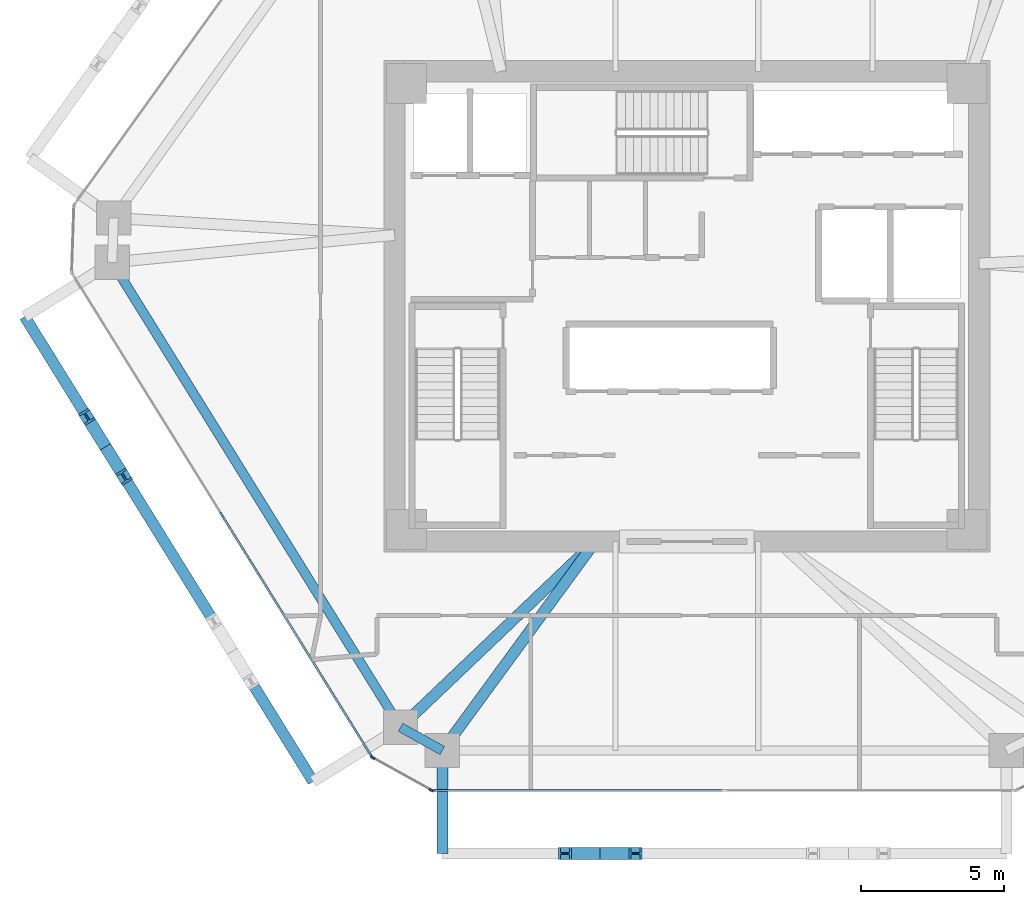
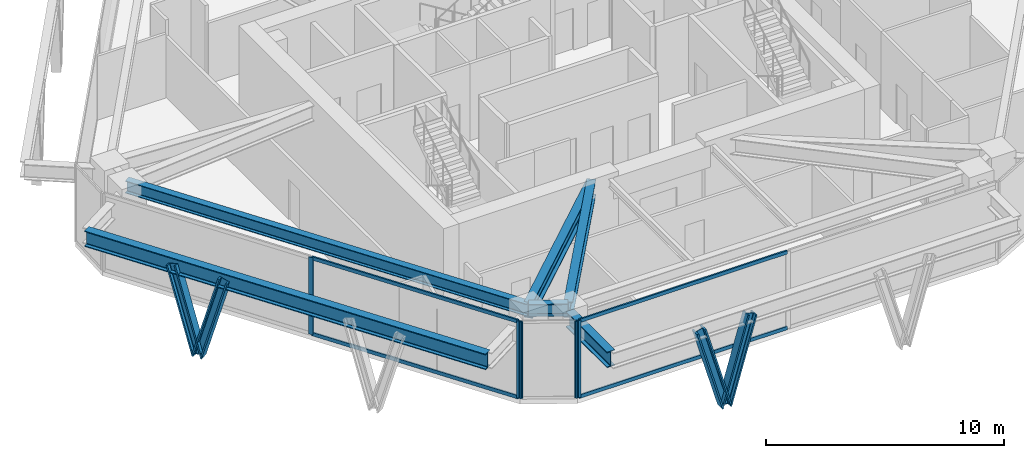
# One storey, part 2 of 14: 13 members, 6 beams, 3 elements without a shape of their own.
"""IFC4 building model written with IfcOpenShell, lengths in metres."""

import ifcopenshell
import ifcopenshell.guid

model = None  # the IFC model being written
_history = None  # IfcOwnerHistory: only IFC2X3 demands one
_inside = {}  # id of a spatial element -> (the spatial element, [elements in it])
_under = {}  # id of a project, library or spatial element -> (it, [spatial elements below it])
_declared = {}  # id of a project -> (the project, [libraries it declares])
_typed = {}  # id of a type object -> (the type object, [elements of that type])
_made_of = {}  # id of a material, layer set ... -> (it, [elements and type objects made of it])


def new_model(schema):
    """Start an empty IFC model of exactly this schema.

    Asked for "IFC4X3", IfcOpenShell would pick the latest addendum, in which some entities
    have other attributes; the version numbers below select the first issue.
    IFC2X3 requires an IfcOwnerHistory on every rooted entity: one is made here for all.
    """
    global model, _history
    if schema == "IFC4X3":
        model = ifcopenshell.file(schema_version=(4, 3, 0, 0))
    else:
        model = ifcopenshell.file(schema=schema)
    _inside.clear()
    _under.clear()
    _declared.clear()
    _typed.clear()
    _made_of.clear()
    _history = None
    if model.schema == "IFC2X3":
        org = make("IfcOrganization", Name="unknown")
        user = make(
            "IfcPersonAndOrganization",
            ThePerson=make("IfcPerson", FamilyName="unknown"),
            TheOrganization=org,
        )
        app = make(
            "IfcApplication",
            ApplicationDeveloper=org,
            Version="unknown",
            ApplicationFullName="unknown",
            ApplicationIdentifier="unknown",
        )
        _history = make(
            "IfcOwnerHistory",
            OwningUser=user,
            OwningApplication=app,
            ChangeAction="ADDED",
            CreationDate=0,
        )
    return model


def make(cls, **values):
    """One entity of the class cls with the attributes given. An attribute that is None is left unset."""
    return model.create_entity(
        cls, **{name: value for name, value in values.items() if value is not None}
    )


def rooted(cls, **values):
    """An entity with a GlobalId (a new one), such as an element, a storey or a relation."""
    return make(cls, GlobalId=ifcopenshell.guid.new(), OwnerHistory=_history, **values)


def si_unit(unit_type, name, prefix=None):
    """IfcSIUnit, for example si_unit("LENGTHUNIT", "METRE", prefix="MILLI")."""
    return make("IfcSIUnit", UnitType=unit_type, Prefix=prefix, Name=name)


def assignment(units):
    """IfcUnitAssignment: the units of a project."""
    return None if units is None else make("IfcUnitAssignment", Units=units)


def point(xyz):
    """IfcCartesianPoint."""
    return None if xyz is None else make("IfcCartesianPoint", Coordinates=xyz)


def direction(xyz):
    """IfcDirection."""
    return None if xyz is None else make("IfcDirection", DirectionRatios=xyz)


def frame(location, z_axis=None, x_axis=None):
    """IfcAxis2Placement3D, a coordinate frame: its origin and axes. An axis left out is left unset."""
    return make(
        "IfcAxis2Placement3D",
        Location=point(location),
        Axis=direction(z_axis),
        RefDirection=direction(x_axis),
    )


def frame_2d(location, x_axis=None):
    """IfcAxis2Placement2D, a coordinate frame in the plane: its origin and x axis."""
    return make(
        "IfcAxis2Placement2D", Location=point(location), RefDirection=direction(x_axis)
    )


def origin():
    """The frame at (0, 0, 0) with its axes left unset."""
    return frame((0.0, 0.0, 0.0))


def origin_2d():
    """The frame at (0, 0) in the plane with its x axis left unset."""
    return frame_2d((0.0, 0.0))


def place(relative_to, where):
    """IfcLocalPlacement: puts the frame where relative to a parent placement (None: the world)."""
    return make(
        "IfcLocalPlacement", PlacementRelTo=relative_to, RelativePlacement=where
    )


def context(
    kind, dimensions, precision=None, world=None, true_north=None, identifier=None
):
    """IfcGeometricRepresentationContext, for example the 3D "Model" context."""
    return make(
        "IfcGeometricRepresentationContext",
        ContextIdentifier=identifier,
        ContextType=kind,
        CoordinateSpaceDimension=dimensions,
        Precision=precision,
        WorldCoordinateSystem=world,
        TrueNorth=true_north,
    )


def subcontext(parent, identifier, kind, view, scale=None):
    """IfcGeometricRepresentationSubContext, for example "Body" below "Model"."""
    return make(
        "IfcGeometricRepresentationSubContext",
        ContextIdentifier=identifier,
        ContextType=kind,
        ParentContext=parent,
        TargetScale=scale,
        TargetView=view,
    )


def project(units=None, contexts=None):
    """IfcProject with its units and contexts."""
    return rooted(
        "IfcProject",
        Name="project",
        RepresentationContexts=contexts,
        UnitsInContext=assignment(units),
    )


def spatial(cls, under=None, at=None, **own):
    """A site, building, storey or space (cls), placed at a placement, below another one or the project."""
    s = rooted(cls, ObjectPlacement=at, **own)
    if under is not None:
        _under.setdefault(under.id(), (under, []))[1].append(s)
    return s


def profile(cls, at=None, kind="AREA", **sizes):
    """A parametric profile (cls). Its sizes go by their IFC names, for example OverallWidth=200.0."""
    return make(cls, ProfileType=kind, Position=at, **sizes)


def rectangle(**sizes):
    """IfcRectangleProfileDef."""
    return profile("IfcRectangleProfileDef", **sizes)


def i_section(**sizes):
    """IfcIShapeProfileDef."""
    return profile("IfcIShapeProfileDef", **sizes)


def extrude(swept, where, along, depth):
    """IfcExtrudedAreaSolid: the profile swept, set in the frame where, extruded along a direction by depth."""
    return make(
        "IfcExtrudedAreaSolid",
        SweptArea=swept,
        Position=where,
        ExtrudedDirection=direction(along),
        Depth=depth,
    )


def shape(context_of_items, identifier, shape_type, items):
    """IfcShapeRepresentation: the items that make up one representation, for example the "Body"."""
    return make(
        "IfcShapeRepresentation",
        ContextOfItems=context_of_items,
        RepresentationIdentifier=identifier,
        RepresentationType=shape_type,
        Items=items,
    )


def source(mapping_origin, context_of_items, identifier, shape_type, items):
    """IfcRepresentationMap: a shape defined once, which mapped items show again and again."""
    return make(
        "IfcRepresentationMap",
        MappingOrigin=mapping_origin,
        MappedRepresentation=shape(context_of_items, identifier, shape_type, items),
    )


def transform(
    local_origin,
    x_axis=None,
    y_axis=None,
    z_axis=None,
    scale=None,
    scale2=None,
    scale3=None,
    uniform=True,
):
    """IfcCartesianTransformationOperator3D, or its non-uniform kind. x_axis, y_axis, z_axis: its Axis1, 2, 3."""
    if uniform:
        return make(
            "IfcCartesianTransformationOperator3D",
            Axis1=direction(x_axis),
            Axis2=direction(y_axis),
            LocalOrigin=point(local_origin),
            Scale=scale,
            Axis3=direction(z_axis),
        )
    return make(
        "IfcCartesianTransformationOperator3DnonUniform",
        Axis1=direction(x_axis),
        Axis2=direction(y_axis),
        LocalOrigin=point(local_origin),
        Scale=scale,
        Axis3=direction(z_axis),
        Scale2=scale2,
        Scale3=scale3,
    )


def mapped(mapping_source, mapping_target):
    """IfcMappedItem: shows the shape of a source again, moved by a transform."""
    return make(
        "IfcMappedItem", MappingSource=mapping_source, MappingTarget=mapping_target
    )


def material(Name=None, Category=None):
    """IfcMaterial."""
    return make("IfcMaterial", Name=Name, Category=Category)


def layer(
    of_material, thickness, ventilated=None, Name=None, Category=None, Priority=None
):
    """IfcMaterialLayer: one layer of a wall or slab, of a material (None: an air gap)."""
    return make(
        "IfcMaterialLayer",
        Material=of_material,
        LayerThickness=thickness,
        IsVentilated=ventilated,
        Name=Name,
        Category=Category,
        Priority=Priority,
    )


def layer_set(layers, Name=None):
    """IfcMaterialLayerSet."""
    return make("IfcMaterialLayerSet", MaterialLayers=layers, LayerSetName=Name)


def material_profile(
    of_material, cross_section, Name=None, Category=None, Priority=None
):
    """IfcMaterialProfile: a cross section and its material."""
    return make(
        "IfcMaterialProfile",
        Name=Name,
        Material=of_material,
        Profile=cross_section,
        Priority=Priority,
        Category=Category,
    )


def profile_set(profiles, Name=None, composite=None):
    """IfcMaterialProfileSet."""
    return make(
        "IfcMaterialProfileSet",
        Name=Name,
        MaterialProfiles=profiles,
        CompositeProfile=composite,
    )


def made_of(thing, what):
    """Note that an element or type object is made of a material, layer set ...; save() writes the relation."""
    if what is not None:
        _made_of.setdefault(what.id(), (what, []))[1].append(thing)
    return thing


def type_object(cls, material=None, **own):
    """A type object (cls), such as IfcWallType, which elements share."""
    return made_of(rooted(cls, **own), material)


def type_shapes(of_type, sources):
    """Give a type object the sources (RepresentationMaps) that its elements show as mapped items."""
    of_type.RepresentationMaps = sources


def element(
    cls,
    number,
    at=None,
    inside=None,
    cuts=None,
    type_object=None,
    material=None,
    context=None,
    identifier="Body",
    shape_type=None,
    held_by="IfcProductDefinitionShape",
    body=None,
    shapes=None,
    **own,
):
    """One element of the class cls, such as IfcWall. Its Tag is "e" and its number.

    at: its placement. inside: the storey or other place that contains it. cuts: it is an
    opening in that element (IfcRelVoidsElement). A single representation is given by context,
    identifier, shape_type and body (its items); several are given by shapes. held_by: the class
    of the entity that holds the representations. save() writes the other relations.
    """
    e = rooted(cls, Tag="e%d" % number, ObjectPlacement=at, **own)
    if body is not None:
        shapes = [shape(context, identifier, shape_type, body)]
    if shapes is not None:
        e.Representation = make(held_by, Representations=shapes)
    if inside is not None:
        _inside.setdefault(inside.id(), (inside, []))[1].append(e)
    if cuts is not None:
        rooted(
            "IfcRelVoidsElement", RelatingBuildingElement=cuts, RelatedOpeningElement=e
        )
    if type_object is not None:
        _typed.setdefault(type_object.id(), (type_object, []))[1].append(e)
    return made_of(e, material)


def aggregate(whole, parts):
    """IfcRelAggregates: a whole, such as a stair, and the parts it consists of."""
    return rooted("IfcRelAggregates", RelatingObject=whole, RelatedObjects=parts)


def save(model, path):
    """Write the relations noted so far, then the file.

    IfcRelAggregates (storeys below a building ...), IfcRelContainedInSpatialStructure (elements
    in a storey), IfcRelDefinesByType, IfcRelAssociatesMaterial and IfcRelDeclares: one each for
    every whole, place, type object, material and project.
    """
    for whole, parts in _under.values():
        aggregate(whole, parts)
    for where, things in _inside.values():
        rooted(
            "IfcRelContainedInSpatialStructure",
            RelatedElements=things,
            RelatingStructure=where,
        )
    for kind, things in _typed.values():
        rooted("IfcRelDefinesByType", RelatedObjects=things, RelatingType=kind)
    for what, things in _made_of.values():
        rooted("IfcRelAssociatesMaterial", RelatedObjects=things, RelatingMaterial=what)
    for by, libraries in _declared.values():
        rooted("IfcRelDeclares", RelatingContext=by, RelatedDefinitions=libraries)
    model.write(path)


model = new_model("IFC4")

# Units and contexts
model_context = context("Model", 3, precision=1e-05, world=origin(), true_north=direction((0.0, 1.0)))
body_context = subcontext(model_context, "Body", "Model", "MODEL_VIEW")
ifc_project = project(units=[si_unit("LENGTHUNIT", "METRE"), si_unit("AREAUNIT", "SQUARE_METRE"), si_unit("VOLUMEUNIT", "CUBIC_METRE"), si_unit("PLANEANGLEUNIT", "RADIAN"), si_unit("MASSUNIT", "GRAM", prefix="KILO")], contexts=[model_context])

# Site, building, storey
site_placement = place(None, origin())
site = spatial("IfcSite", under=ifc_project, at=site_placement, CompositionType="ELEMENT")
building_placement = place(site_placement, origin())
building = spatial("IfcBuilding", under=site, at=building_placement, Name="Durnholm Broadcast Tower", CompositionType="ELEMENT")
storey_placement = place(building_placement, frame((0.0, 0.0, 93.300048828125)))
storey = spatial("IfcBuildingStorey", under=building, at=storey_placement, Name="L24", CompositionType="ELEMENT", Elevation=93.300048828125)

# Beams
ifc_material_1 = material(Name="Steel ASTM A992 Grade 50", Category="steel")
ifc_material_profile_1 = material_profile(ifc_material_1, i_section(OverallWidth=0.385009765625, OverallDepth=0.802978515625, WebThickness=0.023681640625, FlangeThickness=0.0419921875, FilletRadius=0.032958984375, at=origin_2d()), Name="W30X261")
ifc_profile_set_1 = profile_set([ifc_material_profile_1], Name="Steel ASTM A992 Grade 50")
beam_type_1 = type_object("IfcBeamType", Name="BM-EXO-TIE", PredefinedType="USERDEFINED", material=ifc_profile_set_1)
shared_shape_1 = source(origin(), body_context, "Body", "SweptSolid", [
    extrude(i_section(OverallWidth=0.385009765625, OverallDepth=0.802978515625, WebThickness=0.023681640625, FlangeThickness=0.0419921875, FilletRadius=0.032958984375, at=origin_2d()), origin(), (0.0, 0.0, 1.0), 3.4560546875),
])
beam_1_placement = place(storey_placement, frame((-8.552001953125, -15.680908203125, 3.20849609375), z_axis=(0.0, -1.0, 0.0), x_axis=(1.0, 0.0, 0.0)))
element("IfcBeam", 1, at=beam_1_placement, inside=storey, type_object=beam_type_1, Name="L24 exoskeleton stand-off tie bracket F1.1", ObjectType="GIRDER", PredefinedType="USERDEFINED", context=body_context, shape_type="MappedRepresentation", body=[
    mapped(shared_shape_1, transform((0.0, 0.0, 0.0), x_axis=(1.0, 0.0, 0.0), y_axis=(0.0, 1.0, 0.0), z_axis=(0.0, 0.0, 1.0), scale=1.0)),
])
ifc_material_profile_2 = material_profile(ifc_material_1, i_section(OverallWidth=0.3291015625, OverallDepth=0.635009765625, WebThickness=0.017822265625, FlangeThickness=0.031005859375, FilletRadius=0.02783203125, at=origin_2d()), Name="W24X162")
ifc_profile_set_2 = profile_set([ifc_material_profile_2], Name="Steel ASTM A992 Grade 50")
beam_type_2 = type_object("IfcBeamType", Name="STL-SP-W24X162", PredefinedType="SPANDREL", material=ifc_profile_set_2)
shared_shape_2 = source(origin(), body_context, "Body", "SweptSolid", [
    extrude(i_section(OverallWidth=0.3291015625, OverallDepth=0.635009765625, WebThickness=0.017822265625, FlangeThickness=0.031005859375, FilletRadius=0.02783203125, at=origin_2d()), origin(), (0.0, 0.0, 1.0), 19.1396484375),
])
beam_2_placement = place(storey_placement, frame((-10.01416015625, -14.723388671875, 3.62744140625), z_axis=(-0.527105324954, 0.849799962582, 0.0), x_axis=(-0.849799962582, -0.527105324954, 0.0)))
element("IfcBeam", 2, at=beam_2_placement, inside=storey, type_object=beam_type_2, Name="L24 perimeter spandrel girder 01", PredefinedType="SPANDREL", context=body_context, shape_type="MappedRepresentation", body=[
    mapped(shared_shape_2, transform((0.0, 0.0, 0.0), x_axis=(1.0, 0.0, 0.0), y_axis=(0.0, 1.0, 0.0), z_axis=(0.0, 0.0, 1.0), scale=1.0)),
])
shared_shape_3 = source(origin(), body_context, "Body", "SweptSolid", [
    extrude(i_section(OverallWidth=0.3291015625, OverallDepth=0.635009765625, WebThickness=0.017822265625, FlangeThickness=0.031005859375, FilletRadius=0.02783203125, at=origin_2d()), origin(), (0.0, 0.0, 1.0), 1.67333984375),
])
type_shapes(beam_type_2, [shared_shape_2, shared_shape_3])
beam_3_placement = place(storey_placement, frame((-8.552001953125, -15.537109375, 3.62744140625), z_axis=(-0.873799169188, 0.486286964586, 0.0), x_axis=(-0.486286964586, -0.873799169188, 0.0)))
element("IfcBeam", 3, at=beam_3_placement, inside=storey, type_object=beam_type_2, Name="L24 perimeter spandrel girder 12", PredefinedType="SPANDREL", context=body_context, shape_type="MappedRepresentation", body=[
    mapped(shared_shape_3, transform((0.0, 0.0, 0.0), x_axis=(1.0, 0.0, 0.0), y_axis=(0.0, 1.0, 0.0), z_axis=(0.0, 0.0, 1.0), scale=1.0)),
])
ifc_material_profile_3 = material_profile(ifc_material_1, i_section(OverallWidth=0.385009765625, OverallDepth=0.802978515625, WebThickness=0.023681640625, FlangeThickness=0.0419921875, FilletRadius=0.032958984375, at=origin_2d()), Name="W30X261")
ifc_profile_set_3 = profile_set([ifc_material_profile_3], Name="Steel ASTM A992 Grade 50")
beam_type_3 = type_object("IfcBeamType", Name="STL-GR-W30X261", PredefinedType="USERDEFINED", material=ifc_profile_set_3)
shared_shape_4 = source(origin(), body_context, "Body", "SweptSolid", [
    extrude(i_section(OverallWidth=0.385009765625, OverallDepth=0.802978515625, WebThickness=0.023681640625, FlangeThickness=0.0419921875, FilletRadius=0.032958984375, at=origin_2d()), origin(), (0.0, 0.0, 1.0), 9.416015625),
])
beam_4_placement = place(storey_placement, frame((-3.199951171875, -8.22509765625, 3.54345703125), z_axis=(-0.723683335801, -0.690132182617, 0.0), x_axis=(0.690132182617, -0.723683335801, 0.0)))
element("IfcBeam", 4, at=beam_4_placement, inside=storey, type_object=beam_type_3, Name="L24 radial primary floor girder 01", ObjectType="GIRDER", PredefinedType="USERDEFINED", context=body_context, shape_type="MappedRepresentation", body=[
    mapped(shared_shape_4, transform((0.0, 0.0, 0.0), x_axis=(1.0, 0.0, 0.0), y_axis=(0.0, 1.0, 0.0), z_axis=(0.0, 0.0, 1.0), scale=1.0)),
])
shared_shape_5 = source(origin(), body_context, "Body", "SweptSolid", [
    extrude(i_section(OverallWidth=0.385009765625, OverallDepth=0.802978515625, WebThickness=0.023681640625, FlangeThickness=0.0419921875, FilletRadius=0.032958984375, at=origin_2d()), origin(), (0.0, 0.0, 1.0), 9.0615234375),
])
type_shapes(beam_type_3, [shared_shape_4, shared_shape_5])
beam_5_placement = place(storey_placement, frame((-3.199951171875, -8.22509765625, 3.54345703125), z_axis=(-0.590639241086, -0.806935739008, 0.0), x_axis=(0.806935739008, -0.590639241086, 0.0)))
element("IfcBeam", 5, at=beam_5_placement, inside=storey, type_object=beam_type_3, Name="L24 radial primary floor girder 12", ObjectType="GIRDER", PredefinedType="USERDEFINED", context=body_context, shape_type="MappedRepresentation", body=[
    mapped(shared_shape_5, transform((0.0, 0.0, 0.0), x_axis=(1.0, 0.0, 0.0), y_axis=(0.0, 1.0, 0.0), z_axis=(0.0, 0.0, 1.0), scale=1.0)),
])
shared_shape_6 = source(origin(), body_context, "Body", "SweptSolid", [
    extrude(i_section(OverallWidth=0.385009765625, OverallDepth=0.802978515625, WebThickness=0.023681640625, FlangeThickness=0.0419921875, FilletRadius=0.032958984375, at=origin_2d()), origin(), (0.0, 0.0, 1.0), 19.139404296875),
])
type_shapes(beam_type_1, [shared_shape_1, shared_shape_6])
beam_6_placement = place(storey_placement, frame((-23.162109375, -0.356201171875, 3.20849609375), z_axis=(0.527111038734, -0.84979641847, 0.0), x_axis=(0.84979641847, 0.527111038734, 0.0)))
element("IfcBeam", 6, at=beam_6_placement, inside=storey, type_object=beam_type_1, Name="L24 exoskeleton collector spandrel F6", PredefinedType="SPANDREL", context=body_context, shape_type="MappedRepresentation", body=[
    mapped(shared_shape_6, transform((0.0, 0.0, 0.0), x_axis=(1.0, 0.0, 0.0), y_axis=(0.0, 1.0, 0.0), z_axis=(0.0, 0.0, 1.0), scale=1.0)),
])

# Members
ifc_material_2 = material(Name="Steel ASTM A913 Grade 65", Category="steel")
ifc_material_profile_4 = material_profile(ifc_material_2, i_section(OverallWidth=0.424072265625, OverallDepth=0.47412109375, WebThickness=0.047607421875, FlangeThickness=0.0771484375, FilletRadius=0.030517578125, at=origin_2d()), Name="W14X426")
ifc_profile_set_4 = profile_set([ifc_material_profile_4], Name="Steel ASTM A913 Grade 65")
member_type_1 = type_object("IfcMemberType", Name="STL-DG-W14X426", PredefinedType="BRACE", material=ifc_profile_set_4)
shared_shape_7 = source(origin(), body_context, "Body", "SweptSolid", [
    extrude(i_section(OverallWidth=0.424072265625, OverallDepth=0.47412109375, WebThickness=0.047607421875, FlangeThickness=0.0771484375, FilletRadius=0.030517578125, at=origin_2d()), origin(), (0.0, 0.0, 1.0), 4.43505859375),
])
type_shapes(member_type_1, [shared_shape_7])
for number, where, z_axis, x_axis, name in (
    (7, (-3.028076171875, -19.136962890625, -1.051513671875), (-0.278209110263, 0.0, 0.960520531257), (0.0, -1.0, 0.0), "L24 stand-off diagrid brace F1.D1.1"),
    (8, (-3.028076171875, -19.136962890625, -1.051513671875), (0.278209110263, 0.0, 0.960520531257), (0.0, 1.0, 0.0), "L24 stand-off diagrid brace F1.D1.2"),
    (9, (-20.337158203125, -4.910400390625, -1.051513671875), (-0.146645813457, 0.23642784114, 0.960519068696), (-0.849805205368, -0.527096872433, 0.0), "L24 stand-off diagrid brace F6.D1.1"),
    (10, (-20.337158203125, -4.910400390625, -1.051513671875), (0.146647721823, -0.236375869935, 0.96053156835), (0.849750220063, 0.527185511469, 0.0), "L24 stand-off diagrid brace F6.D1.2"),
):
    element("IfcMember", number, at=place(storey_placement, frame(where, z_axis=z_axis, x_axis=x_axis)), inside=storey, type_object=member_type_1, Name=name, PredefinedType="BRACE", context=body_context, shape_type="MappedRepresentation", body=[
        mapped(shared_shape_7, transform((0.0, 0.0, 0.0), x_axis=(1.0, 0.0, 0.0), y_axis=(0.0, 1.0, 0.0), z_axis=(0.0, 0.0, 1.0), scale=1.0)),
    ])

# Curtain wall, members
ifc_material_3 = material(Name="Aluminium and Solar Control IGU", Category="aluminium")
ifc_layer_1 = layer(ifc_material_3, 0.1650390625)
ifc_layer_set_1 = layer_set([ifc_layer_1], Name="Aluminium and Solar Control IGU")
curtain_wall_type_1 = type_object("IfcCurtainWallType", Name="CW-SYS-5", PredefinedType="NOTDEFINED", material=ifc_layer_set_1)
curtain_wall_1_placement = place(storey_placement, origin())
curtain_wall_1 = element("IfcCurtainWall", 11, at=curtain_wall_1_placement, inside=storey, type_object=curtain_wall_type_1, Name="L24 curtain wall CW-CORNER CW-L24-CRN-11", PredefinedType="NOTDEFINED")
ifc_material_4 = material(Name="Aluminium 6063-T6", Category="aluminium")
ifc_material_profile_5 = material_profile(ifc_material_4, rectangle(XDim=0.06494140625, YDim=0.1650390625, at=origin_2d()), Name="CWM65X165")
ifc_profile_set_5 = profile_set([ifc_material_profile_5], Name="Aluminium 6063-T6")
member_type_2 = type_object("IfcMemberType", Name="CW-SYS-5-MUL", PredefinedType="MULLION", material=ifc_profile_set_5)
shared_shape_8 = source(origin(), body_context, "Body", "SweptSolid", [
    extrude(rectangle(XDim=0.06494140625, YDim=0.1650390625, at=origin_2d()), origin(), (0.0, 0.0, 1.0), 3.9599609375),
])
type_shapes(member_type_2, [shared_shape_8])
member_1_placement = place(storey_placement, frame((-8.943603515625, -16.921142578125, 0.0), z_axis=(0.0, 0.0, 1.0), x_axis=(-0.486244224192, -0.873822953715, 0.0)))
member_1 = element("IfcMember", 12, at=member_1_placement, type_object=member_type_2, Name="CW-CORNER mullion 1", PredefinedType="MULLION", context=body_context, shape_type="MappedRepresentation", body=[
    mapped(shared_shape_8, transform((0.0, 0.0, 0.0), x_axis=(1.0, 0.0, 0.0), y_axis=(0.0, 1.0, 0.0), z_axis=(0.0, 0.0, 1.0), scale=1.0)),
])
member_2_placement = place(storey_placement, frame((-10.98388671875, -15.785888671875, 0.0), z_axis=(0.0, 0.0, 1.0), x_axis=(-0.486244224192, -0.873822953715, 0.0)))
member_2 = element("IfcMember", 13, at=member_2_placement, type_object=member_type_2, Name="CW-CORNER mullion 2", PredefinedType="MULLION", context=body_context, shape_type="MappedRepresentation", body=[
    mapped(shared_shape_8, transform((0.0, 0.0, 0.0), x_axis=(1.0, 0.0, 0.0), y_axis=(0.0, 1.0, 0.0), z_axis=(0.0, 0.0, 1.0), scale=1.0)),
])
aggregate(curtain_wall_1, [member_1, member_2])

# Curtain wall, member
ifc_layer_2 = layer(ifc_material_3, 0.219970703125)
ifc_layer_set_2 = layer_set([ifc_layer_2], Name="Aluminium and Solar Control IGU")
curtain_wall_type_2 = type_object("IfcCurtainWallType", Name="CW-SYS-6", PredefinedType="NOTDEFINED", material=ifc_layer_set_2)
curtain_wall_2_placement = place(storey_placement, origin())
curtain_wall_2 = element("IfcCurtainWall", 14, at=curtain_wall_2_placement, inside=storey, type_object=curtain_wall_type_2, Name="L24 curtain wall CW-AMENITY CW-L24-F10", PredefinedType="NOTDEFINED")
ifc_material_profile_6 = material_profile(ifc_material_4, rectangle(XDim=0.074951171875, YDim=0.219970703125, at=origin_2d()), Name="CWM75X220")
ifc_profile_set_6 = profile_set([ifc_material_profile_6], Name="Aluminium 6063-T6")
member_type_3 = type_object("IfcMemberType", Name="CW-SYS-6-MUL", PredefinedType="MULLION", material=ifc_profile_set_6)
shared_shape_9 = source(origin(), body_context, "Body", "SweptSolid", [
    extrude(rectangle(XDim=0.074951171875, YDim=0.219970703125, at=origin_2d()), origin(), (0.0, 0.0, 1.0), 3.9599609375),
])
type_shapes(member_type_3, [shared_shape_9])
member_3_placement = place(storey_placement, frame((-8.877685546875, -16.93701171875, 0.0), z_axis=(0.0, 0.0, 1.0), x_axis=(0.0, -1.0, 0.0)))
member_3 = element("IfcMember", 15, at=member_3_placement, type_object=member_type_3, Name="CW-AMENITY mullion 3", PredefinedType="MULLION", context=body_context, shape_type="MappedRepresentation", body=[
    mapped(shared_shape_9, transform((0.0, 0.0, 0.0), x_axis=(1.0, 0.0, 0.0), y_axis=(0.0, 1.0, 0.0), z_axis=(0.0, 0.0, 1.0), scale=1.0)),
])

# Curtain wall, members
curtain_wall_3_placement = place(storey_placement, origin())
curtain_wall_3 = element("IfcCurtainWall", 16, at=curtain_wall_3_placement, inside=storey, type_object=curtain_wall_type_2, Name="L24 curtain wall CW-AMENITY CW-L24-F12", PredefinedType="NOTDEFINED")
member_4_placement = place(storey_placement, frame((-11.0322265625, -15.738037109375, 0.0), z_axis=(0.0, 0.0, 1.0), x_axis=(-0.849799925229, -0.527105385176, 0.0)))
member_4 = element("IfcMember", 17, at=member_4_placement, type_object=member_type_3, Name="CW-AMENITY mullion 1", PredefinedType="MULLION", context=body_context, shape_type="MappedRepresentation", body=[
    mapped(shared_shape_9, transform((0.0, 0.0, 0.0), x_axis=(1.0, 0.0, 0.0), y_axis=(0.0, 1.0, 0.0), z_axis=(0.0, 0.0, 1.0), scale=1.0)),
])
member_5_placement = place(storey_placement, frame((-16.264404296875, -7.302734375, 0.0), z_axis=(0.0, 0.0, 1.0), x_axis=(-0.849799925229, -0.527105385176, 0.0)))
member_5 = element("IfcMember", 18, at=member_5_placement, type_object=member_type_3, Name="CW-AMENITY mullion 2", PredefinedType="MULLION", context=body_context, shape_type="MappedRepresentation", body=[
    mapped(shared_shape_9, transform((0.0, 0.0, 0.0), x_axis=(1.0, 0.0, 0.0), y_axis=(0.0, 1.0, 0.0), z_axis=(0.0, 0.0, 1.0), scale=1.0)),
])
ifc_material_profile_7 = material_profile(ifc_material_4, rectangle(XDim=0.074951171875, YDim=0.179931640625, at=origin_2d()), Name="CWT75X180")
ifc_profile_set_7 = profile_set([ifc_material_profile_7], Name="Aluminium 6063-T6")
member_type_4 = type_object("IfcMemberType", Name="CW-SYS-6-TRN", PredefinedType="USERDEFINED", material=ifc_profile_set_7)
shared_shape_10 = source(origin(), body_context, "Body", "SweptSolid", [
    extrude(rectangle(XDim=0.074951171875, YDim=0.179931640625, at=origin_2d()), origin(), (0.0, 0.0, 1.0), 9.851318359375),
])
member_6_placement = place(storey_placement, frame((-11.052001953125, -15.706298828125, 0.037353515625), z_axis=(-0.527104352206, 0.849800565948, 0.0), x_axis=(-0.849800565948, -0.527104352206, 0.0)))
member_6 = element("IfcMember", 19, at=member_6_placement, type_object=member_type_4, Name="CW-AMENITY transom 1.1", ObjectType="TRANSOM", PredefinedType="USERDEFINED", context=body_context, shape_type="MappedRepresentation", body=[
    mapped(shared_shape_10, transform((0.0, 0.0, 0.0), x_axis=(1.0, 0.0, 0.0), y_axis=(0.0, 1.0, 0.0), z_axis=(0.0, 0.0, 1.0), scale=1.0)),
])
member_7_placement = place(storey_placement, frame((-11.052001953125, -15.706298828125, 3.92236328125), z_axis=(-0.527104352206, 0.849800565948, 0.0), x_axis=(-0.849800565948, -0.527104352206, 0.0)))
member_7 = element("IfcMember", 20, at=member_7_placement, type_object=member_type_4, Name="CW-AMENITY transom 1.2", ObjectType="TRANSOM", PredefinedType="USERDEFINED", context=body_context, shape_type="MappedRepresentation", body=[
    mapped(shared_shape_10, transform((0.0, 0.0, 0.0), x_axis=(1.0, 0.0, 0.0), y_axis=(0.0, 1.0, 0.0), z_axis=(0.0, 0.0, 1.0), scale=1.0)),
])
aggregate(curtain_wall_3, [member_4, member_5, member_6, member_7])

# Member
shared_shape_11 = source(origin(), body_context, "Body", "SweptSolid", [
    extrude(rectangle(XDim=0.074951171875, YDim=0.179931640625, at=origin_2d()), origin(), (0.0, 0.0, 1.0), 10.10205078125),
])
type_shapes(member_type_4, [shared_shape_10, shared_shape_11])
member_8_placement = place(storey_placement, frame((1.261962890625, -16.93701171875, 0.037353515625), z_axis=(-1.0, 0.0, 0.0), x_axis=(0.0, -1.0, 0.0)))
member_8 = element("IfcMember", 21, at=member_8_placement, type_object=member_type_4, Name="CW-AMENITY transom 2.1", ObjectType="TRANSOM", PredefinedType="USERDEFINED", context=body_context, shape_type="MappedRepresentation", body=[
    mapped(shared_shape_11, transform((0.0, 0.0, 0.0), x_axis=(1.0, 0.0, 0.0), y_axis=(0.0, 1.0, 0.0), z_axis=(0.0, 0.0, 1.0), scale=1.0)),
])

member_9_placement = place(storey_placement, frame((1.261962890625, -16.93701171875, 3.92236328125), z_axis=(-1.0, 0.0, 0.0), x_axis=(0.0, -1.0, 0.0)))
member_9 = element("IfcMember", 22, at=member_9_placement, type_object=member_type_4, Name="CW-AMENITY transom 2.2", ObjectType="TRANSOM", PredefinedType="USERDEFINED", context=body_context, shape_type="MappedRepresentation", body=[
    mapped(shared_shape_11, transform((0.0, 0.0, 0.0), x_axis=(1.0, 0.0, 0.0), y_axis=(0.0, 1.0, 0.0), z_axis=(0.0, 0.0, 1.0), scale=1.0)),
])

aggregate(curtain_wall_2, [member_3, member_8, member_9])

save(model, "model.ifc")
